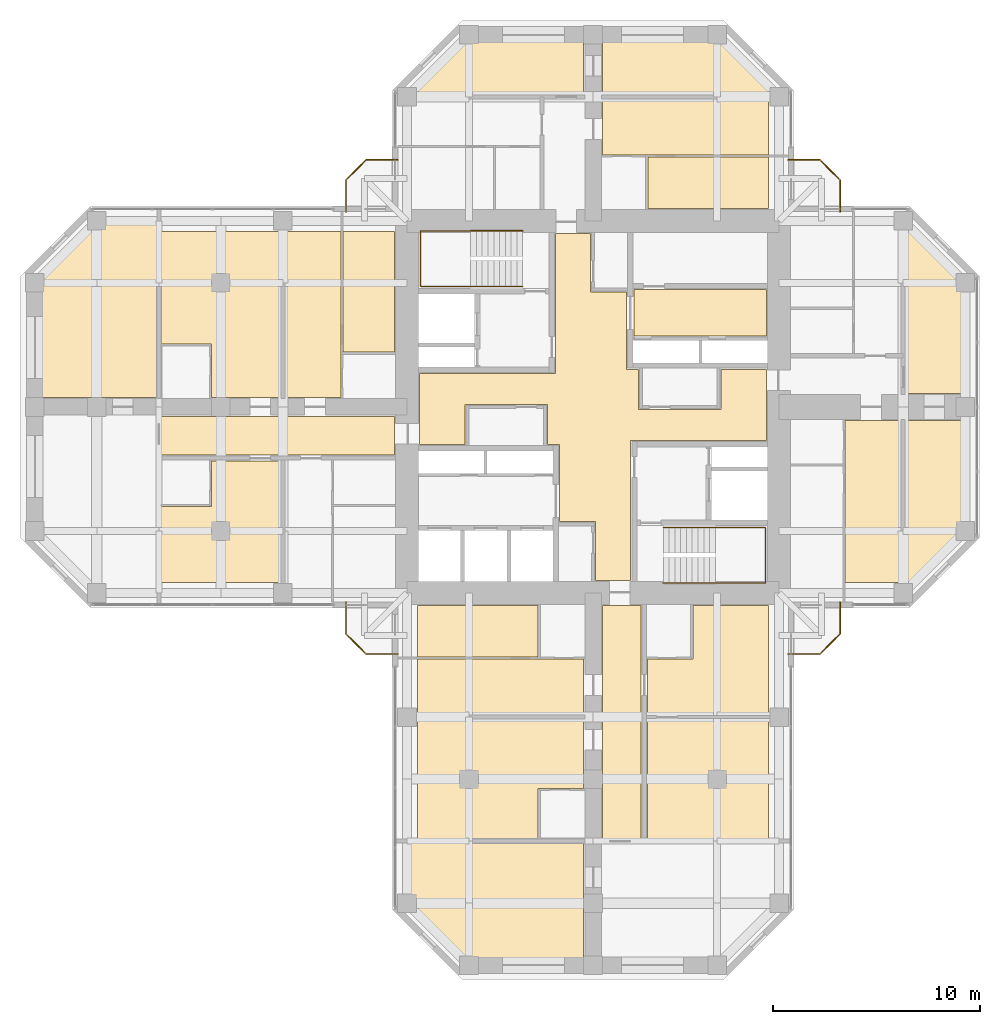
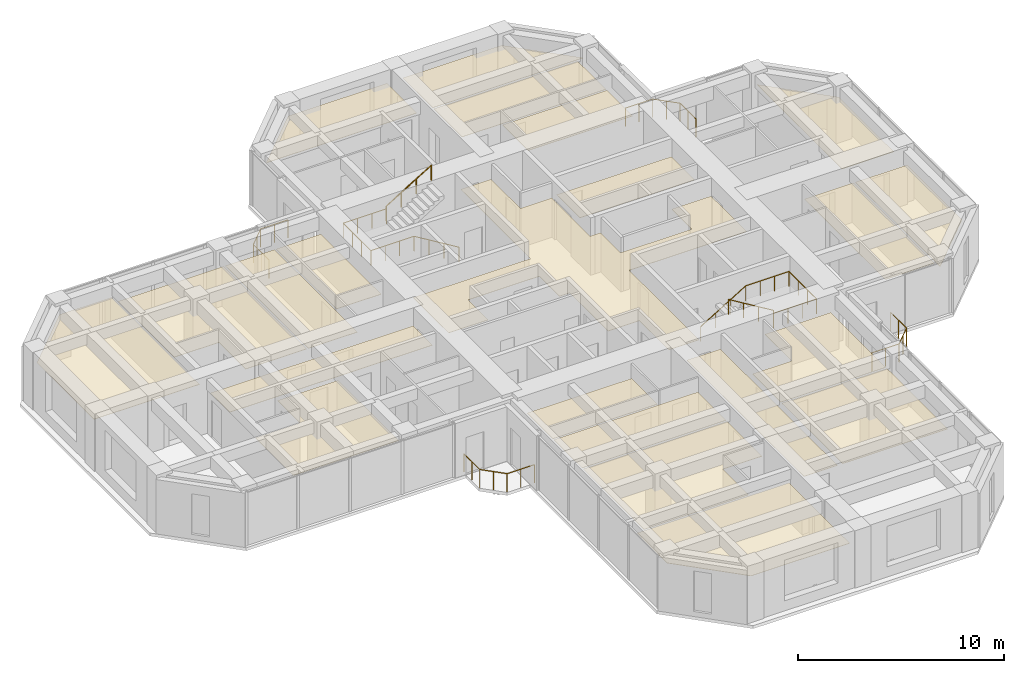
# One storey, part 14 of 14: 22 coverings, 8 railings.
"""IFC4 building model written with IfcOpenShell, lengths in metres."""

from ifc_helpers import new_model, si_unit, direction, frame, origin, origin_2d, place, context, subcontext, project, spatial, polyline, circle, outline, extrude, material, layer, layer_set, constituent, constituent_set, type_object, element, save


model = new_model("IFC4")

# Units and contexts
model_context = context("Model", 3, precision=1e-05, world=origin(), true_north=direction((0.0, 1.0)))
body_context = subcontext(model_context, "Body", "Model", "MODEL_VIEW")
ifc_project = project(units=[si_unit("LENGTHUNIT", "METRE"), si_unit("AREAUNIT", "SQUARE_METRE"), si_unit("VOLUMEUNIT", "CUBIC_METRE"), si_unit("PLANEANGLEUNIT", "RADIAN"), si_unit("MASSUNIT", "GRAM", prefix="KILO")], contexts=[model_context])

# Site, building, storey
site_placement = place(None, origin())
site = spatial("IfcSite", under=ifc_project, at=site_placement, CompositionType="ELEMENT")
building_placement = place(site_placement, origin())
building = spatial("IfcBuilding", under=site, at=building_placement, Name="Torre Cruceta", CompositionType="ELEMENT")
storey_placement = place(building_placement, frame((0.0, 0.0, 186.5)))
storey = spatial("IfcBuildingStorey", under=building, at=storey_placement, Name="L46", CompositionType="ELEMENT", Elevation=186.5)

# Railings
ifc_material_1 = material(Name="Stainless steel 1.4401", Category="steel")
ifc_constituent_1 = constituent(ifc_material_1, Name="Frame")
ifc_material_2 = material(Name="Laminated safety glass", Category="glass")
ifc_constituent_2 = constituent(ifc_material_2, Name="Infill")
ifc_constituent_set = constituent_set(constituents=[ifc_constituent_1, ifc_constituent_2], Name="Stainless steel and laminated glass balustrade")
railing_type_1 = type_object("IfcRailingType", Name="BALCONY BALUSTRADE 1100", PredefinedType="BALUSTRADE", material=ifc_constituent_set)
railing_1_placement = place(storey_placement, frame((-9.449951171875, 11.949951171875, 0.0)))
element("IfcRailing", 1, at=railing_1_placement, inside=storey, type_object=railing_type_1, Name="BL1 balcony balustrade L46 N", PredefinedType="BALUSTRADE", context=body_context, shape_type="SweptSolid", body=[
    extrude(circle(Radius=0.02392578125, at=origin_2d()), frame((0.0, 0.0, 1.076171875), z_axis=(-1.0, 0.0, 0.0), x_axis=(0.0, -1.0, 0.0)), (0.0, 0.0, 1.0), 1.529296875),
    extrude(circle(Radius=0.02392578125, at=origin_2d()), frame((-1.529296875, 0.0, 1.076171875), z_axis=(-0.707106781187, -0.707106781187, 0.0), x_axis=(0.707106781187, -0.707106781187, 0.0)), (0.0, 0.0, 1.0), 1.372802734375),
    extrude(circle(Radius=0.02392578125, at=origin_2d()), frame((-2.5, -0.970703125, 1.076171875), z_axis=(0.0, -1.0, 0.0), x_axis=(1.0, 0.0, 0.0)), (0.0, 0.0, 1.0), 1.529296875),
    extrude(circle(Radius=0.02099609375, at=origin_2d()), origin(), (0.0, 0.0, 1.0), 1.052001953125),
    extrude(circle(Radius=0.02099609375, at=origin_2d()), frame((-0.7646484375, 0.0, 0.0)), (0.0, 0.0, 1.0), 1.052001953125),
    extrude(circle(Radius=0.02099609375, at=origin_2d()), frame((-1.529296875, 0.0, 0.0)), (0.0, 0.0, 1.0), 1.052001953125),
    extrude(circle(Radius=0.02099609375, at=origin_2d()), frame((-2.0146484375, -0.4853515625, 0.0)), (0.0, 0.0, 1.0), 1.052001953125),
    extrude(circle(Radius=0.02099609375, at=origin_2d()), frame((-2.5, -0.970703125, 0.0)), (0.0, 0.0, 1.0), 1.052001953125),
    extrude(circle(Radius=0.02099609375, at=origin_2d()), frame((-2.5, -1.7353515625, 0.0)), (0.0, 0.0, 1.0), 1.052001953125),
    extrude(circle(Radius=0.02099609375, at=origin_2d()), frame((-2.5, -2.5, 0.0)), (0.0, 0.0, 1.0), 1.052001953125),
])
railing_2_placement = place(storey_placement, frame((9.449951171875, 11.949951171875, 0.0)))
element("IfcRailing", 2, at=railing_2_placement, inside=storey, type_object=railing_type_1, Name="BL1 balcony balustrade L46 E", PredefinedType="BALUSTRADE", context=body_context, shape_type="SweptSolid", body=[
    extrude(circle(Radius=0.02392578125, at=origin_2d()), frame((0.0, 0.0, 1.076171875), z_axis=(1.0, 0.0, 0.0), x_axis=(0.0, 1.0, 0.0)), (0.0, 0.0, 1.0), 1.529296875),
    extrude(circle(Radius=0.02392578125, at=origin_2d()), frame((1.529296875, 0.0, 1.076171875), z_axis=(0.707106781187, -0.707106781187, 0.0), x_axis=(0.707106781187, 0.707106781187, 0.0)), (0.0, 0.0, 1.0), 1.372802734375),
    extrude(circle(Radius=0.02392578125, at=origin_2d()), frame((2.5, -0.970703125, 1.076171875), z_axis=(0.0, -1.0, 0.0), x_axis=(1.0, 0.0, 0.0)), (0.0, 0.0, 1.0), 1.529296875),
    extrude(circle(Radius=0.02099609375, at=origin_2d()), origin(), (0.0, 0.0, 1.0), 1.052001953125),
    extrude(circle(Radius=0.02099609375, at=origin_2d()), frame((0.7646484375, 0.0, 0.0)), (0.0, 0.0, 1.0), 1.052001953125),
    extrude(circle(Radius=0.02099609375, at=origin_2d()), frame((1.529296875, 0.0, 0.0)), (0.0, 0.0, 1.0), 1.052001953125),
    extrude(circle(Radius=0.02099609375, at=origin_2d()), frame((2.0146484375, -0.4853515625, 0.0)), (0.0, 0.0, 1.0), 1.052001953125),
    extrude(circle(Radius=0.02099609375, at=origin_2d()), frame((2.5, -0.970703125, 0.0)), (0.0, 0.0, 1.0), 1.052001953125),
    extrude(circle(Radius=0.02099609375, at=origin_2d()), frame((2.5, -1.7353515625, 0.0)), (0.0, 0.0, 1.0), 1.052001953125),
    extrude(circle(Radius=0.02099609375, at=origin_2d()), frame((2.5, -2.5, 0.0)), (0.0, 0.0, 1.0), 1.052001953125),
])
railing_3_placement = place(storey_placement, frame((9.449951171875, -11.949951171875, 0.0)))
element("IfcRailing", 3, at=railing_3_placement, inside=storey, type_object=railing_type_1, Name="BL1 balcony balustrade L46 S", PredefinedType="BALUSTRADE", context=body_context, shape_type="SweptSolid", body=[
    extrude(circle(Radius=0.02392578125, at=origin_2d()), frame((0.0, 0.0, 1.076171875), z_axis=(1.0, 0.0, 0.0), x_axis=(0.0, 1.0, 0.0)), (0.0, 0.0, 1.0), 1.529296875),
    extrude(circle(Radius=0.02392578125, at=origin_2d()), frame((1.529296875, 0.0, 1.076171875), z_axis=(0.707106781187, 0.707106781187, 0.0), x_axis=(-0.707106781187, 0.707106781187, 0.0)), (0.0, 0.0, 1.0), 1.372802734375),
    extrude(circle(Radius=0.02392578125, at=origin_2d()), frame((2.5, 0.970703125, 1.076171875), z_axis=(0.0, 1.0, 0.0), x_axis=(-1.0, 0.0, 0.0)), (0.0, 0.0, 1.0), 1.529296875),
    extrude(circle(Radius=0.02099609375, at=origin_2d()), origin(), (0.0, 0.0, 1.0), 1.052001953125),
    extrude(circle(Radius=0.02099609375, at=origin_2d()), frame((0.7646484375, 0.0, 0.0)), (0.0, 0.0, 1.0), 1.052001953125),
    extrude(circle(Radius=0.02099609375, at=origin_2d()), frame((1.529296875, 0.0, 0.0)), (0.0, 0.0, 1.0), 1.052001953125),
    extrude(circle(Radius=0.02099609375, at=origin_2d()), frame((2.0146484375, 0.4853515625, 0.0)), (0.0, 0.0, 1.0), 1.052001953125),
    extrude(circle(Radius=0.02099609375, at=origin_2d()), frame((2.5, 0.970703125, 0.0)), (0.0, 0.0, 1.0), 1.052001953125),
    extrude(circle(Radius=0.02099609375, at=origin_2d()), frame((2.5, 1.7353515625, 0.0)), (0.0, 0.0, 1.0), 1.052001953125),
    extrude(circle(Radius=0.02099609375, at=origin_2d()), frame((2.5, 2.5, 0.0)), (0.0, 0.0, 1.0), 1.052001953125),
])
railing_4_placement = place(storey_placement, frame((-9.449951171875, -11.949951171875, 0.0)))
element("IfcRailing", 4, at=railing_4_placement, inside=storey, type_object=railing_type_1, Name="BL1 balcony balustrade L46 W", PredefinedType="BALUSTRADE", context=body_context, shape_type="SweptSolid", body=[
    extrude(circle(Radius=0.02392578125, at=origin_2d()), frame((0.0, 0.0, 1.076171875), z_axis=(-1.0, 0.0, 0.0), x_axis=(0.0, -1.0, 0.0)), (0.0, 0.0, 1.0), 1.529296875),
    extrude(circle(Radius=0.02392578125, at=origin_2d()), frame((-1.529296875, 0.0, 1.076171875), z_axis=(-0.707106781187, 0.707106781187, 0.0), x_axis=(-0.707106781187, -0.707106781187, 0.0)), (0.0, 0.0, 1.0), 1.372802734375),
    extrude(circle(Radius=0.02392578125, at=origin_2d()), frame((-2.5, 0.970703125, 1.076171875), z_axis=(0.0, 1.0, 0.0), x_axis=(-1.0, 0.0, 0.0)), (0.0, 0.0, 1.0), 1.529296875),
    extrude(circle(Radius=0.02099609375, at=origin_2d()), origin(), (0.0, 0.0, 1.0), 1.052001953125),
    extrude(circle(Radius=0.02099609375, at=origin_2d()), frame((-0.7646484375, 0.0, 0.0)), (0.0, 0.0, 1.0), 1.052001953125),
    extrude(circle(Radius=0.02099609375, at=origin_2d()), frame((-1.529296875, 0.0, 0.0)), (0.0, 0.0, 1.0), 1.052001953125),
    extrude(circle(Radius=0.02099609375, at=origin_2d()), frame((-2.0146484375, 0.4853515625, 0.0)), (0.0, 0.0, 1.0), 1.052001953125),
    extrude(circle(Radius=0.02099609375, at=origin_2d()), frame((-2.5, 0.970703125, 0.0)), (0.0, 0.0, 1.0), 1.052001953125),
    extrude(circle(Radius=0.02099609375, at=origin_2d()), frame((-2.5, 1.7353515625, 0.0)), (0.0, 0.0, 1.0), 1.052001953125),
    extrude(circle(Radius=0.02099609375, at=origin_2d()), frame((-2.5, 2.5, 0.0)), (0.0, 0.0, 1.0), 1.052001953125),
])
ifc_material_3 = material(Name="Stainless steel 1.4401", Category="steel")
railing_type_2 = type_object("IfcRailingType", Name="HANDRAIL 900", PredefinedType="HANDRAIL", material=ifc_material_3)
railing_5_placement = place(storey_placement, frame((-3.39990234375, 5.8349609375, 0.169921875)))
element("IfcRailing", 5, at=railing_5_placement, inside=storey, type_object=railing_type_2, Name="Handrail HR1 ST1 L46", PredefinedType="HANDRAIL", context=body_context, shape_type="SweptSolid", body=[
    extrude(circle(Radius=0.02392578125, at=origin_2d()), frame((0.0, 0.0, 0.8759765625), z_axis=(-0.85478489116, 0.0, 0.518982456201), x_axis=(0.0, -1.0, 0.0)), (0.0, 0.0, 1.0), 2.9482421875),
    extrude(circle(Radius=0.02392578125, at=origin_2d()), frame((-2.52001953125, 0.0, 2.40576171875), z_axis=(-1.0, 0.0, 0.0), x_axis=(0.0, -1.0, 0.0)), (0.0, 0.0, 1.0), 2.420166015625),
    extrude(circle(Radius=0.02392578125, at=origin_2d()), frame((-4.940185546875, 0.0, 2.40576171875), z_axis=(0.0, 1.0, 0.0), x_axis=(-1.0, 0.0, 0.0)), (0.0, 0.0, 1.0), 2.679931640625),
    extrude(circle(Radius=0.02392578125, at=origin_2d()), frame((-4.940185546875, 2.679931640625, 2.40576171875), z_axis=(1.0, 0.0, 0.0), x_axis=(0.0, 1.0, 0.0)), (0.0, 0.0, 1.0), 2.420166015625),
    extrude(circle(Radius=0.02099609375, at=origin_2d()), origin(), (0.0, 0.0, 1.0), 0.851806640625),
    extrude(circle(Radius=0.02099609375, at=origin_2d()), frame((-0.840087890625, 0.0, 0.510009765625)), (0.0, 0.0, 1.0), 0.851806640625),
    extrude(circle(Radius=0.02099609375, at=origin_2d()), frame((-1.679931640625, 0.0, 1.02001953125)), (0.0, 0.0, 1.0), 0.851806640625),
    extrude(circle(Radius=0.02099609375, at=origin_2d()), frame((-2.52001953125, 0.0, 1.530029296875)), (0.0, 0.0, 1.0), 0.851806640625),
    extrude(circle(Radius=0.02099609375, at=origin_2d()), frame((-3.32666015625, 0.0, 1.530029296875)), (0.0, 0.0, 1.0), 0.851806640625),
    extrude(circle(Radius=0.02099609375, at=origin_2d()), frame((-4.133544921875, 0.0, 1.530029296875)), (0.0, 0.0, 1.0), 0.851806640625),
    extrude(circle(Radius=0.02099609375, at=origin_2d()), frame((-4.940185546875, 0.0, 1.530029296875)), (0.0, 0.0, 1.0), 0.851806640625),
    extrude(circle(Radius=0.02099609375, at=origin_2d()), frame((-4.940185546875, 0.893310546875, 1.530029296875)), (0.0, 0.0, 1.0), 0.851806640625),
    extrude(circle(Radius=0.02099609375, at=origin_2d()), frame((-4.940185546875, 1.78662109375, 1.530029296875)), (0.0, 0.0, 1.0), 0.851806640625),
    extrude(circle(Radius=0.02099609375, at=origin_2d()), frame((-4.940185546875, 2.679931640625, 1.530029296875)), (0.0, 0.0, 1.0), 0.851806640625),
    extrude(circle(Radius=0.02099609375, at=origin_2d()), frame((-4.133544921875, 2.679931640625, 1.530029296875)), (0.0, 0.0, 1.0), 0.851806640625),
    extrude(circle(Radius=0.02099609375, at=origin_2d()), frame((-3.32666015625, 2.679931640625, 1.530029296875)), (0.0, 0.0, 1.0), 0.851806640625),
    extrude(circle(Radius=0.02099609375, at=origin_2d()), frame((-2.52001953125, 2.679931640625, 1.530029296875)), (0.0, 0.0, 1.0), 0.851806640625),
])
railing_6_placement = place(storey_placement, frame((-5.919921875, 8.514892578125, 1.8701171875)))
element("IfcRailing", 6, at=railing_6_placement, inside=storey, type_object=railing_type_2, Name="Handrail HR1 ST1 L46", PredefinedType="HANDRAIL", context=body_context, shape_type="SweptSolid", body=[
    extrude(circle(Radius=0.02392578125, at=origin_2d()), frame((0.0, 0.0, 0.8759765625), z_axis=(0.854821627497, 0.0, 0.518921945155), x_axis=(0.0, 1.0, 0.0)), (0.0, 0.0, 1.0), 2.947998046875),
    extrude(circle(Radius=0.02099609375, at=origin_2d()), origin(), (0.0, 0.0, 1.0), 0.851806640625),
    extrude(circle(Radius=0.02099609375, at=origin_2d()), frame((0.840087890625, 0.0, 0.510009765625)), (0.0, 0.0, 1.0), 0.851806640625),
    extrude(circle(Radius=0.02099609375, at=origin_2d()), frame((1.679931640625, 0.0, 1.019775390625)), (0.0, 0.0, 1.0), 0.851806640625),
    extrude(circle(Radius=0.02099609375, at=origin_2d()), frame((2.52001953125, 0.0, 1.52978515625)), (0.0, 0.0, 1.0), 0.851806640625),
])
railing_7_placement = place(storey_placement, frame((3.39990234375, -5.8349609375, 0.169921875)))
element("IfcRailing", 7, at=railing_7_placement, inside=storey, type_object=railing_type_2, Name="Handrail HR1 ST2 L46", PredefinedType="HANDRAIL", context=body_context, shape_type="SweptSolid", body=[
    extrude(circle(Radius=0.02392578125, at=origin_2d()), frame((0.0, 0.0, 0.8759765625), z_axis=(0.85478489116, 0.0, 0.518982456201), x_axis=(0.0, 1.0, 0.0)), (0.0, 0.0, 1.0), 2.9482421875),
    extrude(circle(Radius=0.02392578125, at=origin_2d()), frame((2.52001953125, 0.0, 2.40576171875), z_axis=(1.0, 0.0, 0.0), x_axis=(0.0, 1.0, 0.0)), (0.0, 0.0, 1.0), 2.420166015625),
    extrude(circle(Radius=0.02392578125, at=origin_2d()), frame((4.940185546875, 0.0, 2.40576171875), z_axis=(0.0, -1.0, 0.0), x_axis=(1.0, 0.0, 0.0)), (0.0, 0.0, 1.0), 2.679931640625),
    extrude(circle(Radius=0.02392578125, at=origin_2d()), frame((4.940185546875, -2.679931640625, 2.40576171875), z_axis=(-1.0, 0.0, 0.0), x_axis=(0.0, -1.0, 0.0)), (0.0, 0.0, 1.0), 2.420166015625),
    extrude(circle(Radius=0.02099609375, at=origin_2d()), origin(), (0.0, 0.0, 1.0), 0.851806640625),
    extrude(circle(Radius=0.02099609375, at=origin_2d()), frame((0.840087890625, 0.0, 0.510009765625)), (0.0, 0.0, 1.0), 0.851806640625),
    extrude(circle(Radius=0.02099609375, at=origin_2d()), frame((1.679931640625, 0.0, 1.02001953125)), (0.0, 0.0, 1.0), 0.851806640625),
    extrude(circle(Radius=0.02099609375, at=origin_2d()), frame((2.52001953125, 0.0, 1.530029296875)), (0.0, 0.0, 1.0), 0.851806640625),
    extrude(circle(Radius=0.02099609375, at=origin_2d()), frame((3.32666015625, 0.0, 1.530029296875)), (0.0, 0.0, 1.0), 0.851806640625),
    extrude(circle(Radius=0.02099609375, at=origin_2d()), frame((4.133544921875, 0.0, 1.530029296875)), (0.0, 0.0, 1.0), 0.851806640625),
    extrude(circle(Radius=0.02099609375, at=origin_2d()), frame((4.940185546875, 0.0, 1.530029296875)), (0.0, 0.0, 1.0), 0.851806640625),
    extrude(circle(Radius=0.02099609375, at=origin_2d()), frame((4.940185546875, -0.893310546875, 1.530029296875)), (0.0, 0.0, 1.0), 0.851806640625),
    extrude(circle(Radius=0.02099609375, at=origin_2d()), frame((4.940185546875, -1.78662109375, 1.530029296875)), (0.0, 0.0, 1.0), 0.851806640625),
    extrude(circle(Radius=0.02099609375, at=origin_2d()), frame((4.940185546875, -2.679931640625, 1.530029296875)), (0.0, 0.0, 1.0), 0.851806640625),
    extrude(circle(Radius=0.02099609375, at=origin_2d()), frame((4.133544921875, -2.679931640625, 1.530029296875)), (0.0, 0.0, 1.0), 0.851806640625),
    extrude(circle(Radius=0.02099609375, at=origin_2d()), frame((3.32666015625, -2.679931640625, 1.530029296875)), (0.0, 0.0, 1.0), 0.851806640625),
    extrude(circle(Radius=0.02099609375, at=origin_2d()), frame((2.52001953125, -2.679931640625, 1.530029296875)), (0.0, 0.0, 1.0), 0.851806640625),
])
railing_8_placement = place(storey_placement, frame((5.919921875, -8.514892578125, 1.8701171875)))
element("IfcRailing", 8, at=railing_8_placement, inside=storey, type_object=railing_type_2, Name="Handrail HR1 ST2 L46", PredefinedType="HANDRAIL", context=body_context, shape_type="SweptSolid", body=[
    extrude(circle(Radius=0.02392578125, at=origin_2d()), frame((0.0, 0.0, 0.8759765625), z_axis=(-0.854821627497, 0.0, 0.518921945155), x_axis=(0.0, -1.0, 0.0)), (0.0, 0.0, 1.0), 2.947998046875),
    extrude(circle(Radius=0.02099609375, at=origin_2d()), origin(), (0.0, 0.0, 1.0), 0.851806640625),
    extrude(circle(Radius=0.02099609375, at=origin_2d()), frame((-0.840087890625, 0.0, 0.510009765625)), (0.0, 0.0, 1.0), 0.851806640625),
    extrude(circle(Radius=0.02099609375, at=origin_2d()), frame((-1.679931640625, 0.0, 1.019775390625)), (0.0, 0.0, 1.0), 0.851806640625),
    extrude(circle(Radius=0.02099609375, at=origin_2d()), frame((-2.52001953125, 0.0, 1.52978515625)), (0.0, 0.0, 1.0), 0.851806640625),
])

# Coverings
ifc_material_4 = material(Name="Mineral fibre ceiling tile", Category="gypsum")
ifc_layer = layer(ifc_material_4, 0.02001953125)
ifc_layer_set = layer_set([ifc_layer], Name="Mineral fibre ceiling tile")
covering_type = type_object("IfcCoveringType", Name="SUSPENDED CEILING 20", PredefinedType="CEILING", material=ifc_layer_set)
covering_1_placement = place(storey_placement, frame((0.0, 0.0, 2.35009765625)))
element("IfcCovering", 9, at=covering_1_placement, inside=storey, type_object=covering_type, Name="Ceiling L46-002", PredefinedType="CEILING", context=body_context, shape_type="SweptSolid", body=[
    extrude(outline(polyline([(1.824951171875, -8.39990234375), (0.125, -8.39990234375), (0.125, -5.550048828125), (-1.625, -5.550048828125), (-1.625, -1.824951171875), (-2.199951171875, -1.824951171875), (-2.199951171875, 0.125), (-6.199951171875, 0.125), (-6.199951171875, -1.824951171875), (-8.39990234375, -1.824951171875), (-8.39990234375, 1.625), (-1.824951171875, 1.625), (-1.824951171875, 8.39990234375), (-0.125, 8.39990234375), (-0.125, 5.550048828125), (1.625, 5.550048828125), (1.625, 1.824951171875), (2.199951171875, 1.824951171875), (2.199951171875, -0.125), (6.199951171875, -0.125), (6.199951171875, 1.824951171875), (8.39990234375, 1.824951171875), (8.39990234375, -1.625), (1.824951171875, -1.625), (1.824951171875, -8.39990234375)])), origin(), (0.0, 0.0, 1.0), 0.02001953125),
])
covering_2_placement = place(storey_placement, frame((0.0, 0.0, 2.35009765625)))
element("IfcCovering", 10, at=covering_2_placement, inside=storey, type_object=covering_type, Name="Ceiling L46-007", PredefinedType="CEILING", context=body_context, shape_type="SweptSolid", body=[
    extrude(outline(polyline([(1.97509765625, 3.425048828125), (1.97509765625, 5.675048828125), (8.39990234375, 5.675048828125), (8.39990234375, 3.425048828125), (1.97509765625, 3.425048828125)])), origin(), (0.0, 0.0, 1.0), 0.02001953125),
])
covering_3_placement = place(storey_placement, frame((0.0, 0.0, 2.35009765625)))
element("IfcCovering", 11, at=covering_3_placement, inside=storey, type_object=covering_type, Name="Ceiling L46-028", PredefinedType="CEILING", context=body_context, shape_type="SweptSolid", body=[
    extrude(outline(polyline([(8.5, 14.949951171875), (8.5, 12.199951171875), (0.449951171875, 12.199951171875), (0.449951171875, 14.949951171875), (8.5, 14.949951171875)])), origin(), (0.0, 0.0, 1.0), 0.02001953125),
])
covering_4_placement = place(storey_placement, frame((0.0, 0.0, 2.35009765625)))
element("IfcCovering", 12, at=covering_4_placement, inside=storey, type_object=covering_type, Name="Ceiling L46-029", PredefinedType="CEILING", context=body_context, shape_type="SweptSolid", body=[
    extrude(outline(polyline([(8.5, 9.60009765625), (2.64990234375, 9.60009765625), (2.64990234375, 12.10009765625), (8.5, 12.10009765625), (8.5, 9.60009765625)])), origin(), (0.0, 0.0, 1.0), 0.02001953125),
])
covering_5_placement = place(storey_placement, frame((0.0, 0.0, 2.35009765625)))
element("IfcCovering", 13, at=covering_5_placement, inside=storey, type_object=covering_type, Name="Ceiling L46-031", PredefinedType="CEILING", context=body_context, shape_type="SweptSolid", body=[
    extrude(outline(polyline([(-5.979248046875, 17.949951171875), (-0.449951171875, 17.949951171875), (-0.449951171875, 15.050048828125), (-8.87939453125, 15.050048828125), (-5.979248046875, 17.949951171875)])), origin(), (0.0, 0.0, 1.0), 0.02001953125),
])
covering_6_placement = place(storey_placement, frame((0.0, 0.0, 2.35009765625)))
element("IfcCovering", 14, at=covering_6_placement, inside=storey, type_object=covering_type, Name="Ceiling L46-032", PredefinedType="CEILING", context=body_context, shape_type="SweptSolid", body=[
    extrude(outline(polyline([(8.87939453125, 15.050048828125), (0.449951171875, 15.050048828125), (0.449951171875, 17.949951171875), (5.979248046875, 17.949951171875), (8.87939453125, 15.050048828125)])), origin(), (0.0, 0.0, 1.0), 0.02001953125),
])
covering_7_placement = place(storey_placement, frame((0.0, 0.0, 2.35009765625)))
element("IfcCovering", 15, at=covering_7_placement, inside=storey, type_object=covering_type, Name="Ceiling L46-037", PredefinedType="CEILING", context=body_context, shape_type="SweptSolid", body=[
    extrude(outline(polyline([(14.949951171875, -8.5), (12.199951171875, -8.5), (12.199951171875, -0.64990234375), (14.949951171875, -0.64990234375), (14.949951171875, -8.5)])), origin(), (0.0, 0.0, 1.0), 0.02001953125),
])
covering_8_placement = place(storey_placement, frame((0.0, 0.0, 2.35009765625)))
element("IfcCovering", 16, at=covering_8_placement, inside=storey, type_object=covering_type, Name="Ceiling L46-040", PredefinedType="CEILING", context=body_context, shape_type="SweptSolid", body=[
    extrude(outline(polyline([(17.949951171875, 5.979248046875), (17.949951171875, 0.64990234375), (15.050048828125, 0.64990234375), (15.050048828125, 8.87939453125), (17.949951171875, 5.979248046875)])), origin(), (0.0, 0.0, 1.0), 0.02001953125),
])
covering_9_placement = place(storey_placement, frame((0.0, 0.0, 2.35009765625)))
element("IfcCovering", 17, at=covering_9_placement, inside=storey, type_object=covering_type, Name="Ceiling L46-041", PredefinedType="CEILING", context=body_context, shape_type="SweptSolid", body=[
    extrude(outline(polyline([(15.050048828125, -8.87939453125), (15.050048828125, -0.64990234375), (17.949951171875, -0.64990234375), (17.949951171875, -5.979248046875), (15.050048828125, -8.87939453125)])), origin(), (0.0, 0.0, 1.0), 0.02001953125),
])
covering_10_placement = place(storey_placement, frame((0.0, 0.0, 2.35009765625)))
element("IfcCovering", 18, at=covering_10_placement, inside=storey, type_object=covering_type, Name="Ceiling L46-042", PredefinedType="CEILING", context=body_context, shape_type="SweptSolid", body=[
    extrude(outline(polyline([(0.449951171875, -9.60009765625), (2.324951171875, -9.60009765625), (2.324951171875, -20.949951171875), (0.449951171875, -20.949951171875), (0.449951171875, -9.60009765625)])), origin(), (0.0, 0.0, 1.0), 0.02001953125),
])
covering_11_placement = place(storey_placement, frame((0.0, 0.0, 2.35009765625)))
element("IfcCovering", 19, at=covering_11_placement, inside=storey, type_object=covering_type, Name="Ceiling L46-043", PredefinedType="CEILING", context=body_context, shape_type="SweptSolid", body=[
    extrude(outline(polyline([(8.5, -9.60009765625), (8.5, -14.949951171875), (2.625, -14.949951171875), (2.625, -12.199951171875), (4.824951171875, -12.199951171875), (4.824951171875, -9.60009765625), (8.5, -9.60009765625)])), origin(), (0.0, 0.0, 1.0), 0.02001953125),
])
covering_12_placement = place(storey_placement, frame((0.0, 0.0, 2.35009765625)))
element("IfcCovering", 20, at=covering_12_placement, inside=storey, type_object=covering_type, Name="Ceiling L46-045", PredefinedType="CEILING", context=body_context, shape_type="SweptSolid", body=[
    extrude(outline(polyline([(2.625, -15.050048828125), (8.5, -15.050048828125), (8.5, -20.949951171875), (2.625, -20.949951171875), (2.625, -15.050048828125)])), origin(), (0.0, 0.0, 1.0), 0.02001953125),
])
covering_13_placement = place(storey_placement, frame((0.0, 0.0, 2.35009765625)))
element("IfcCovering", 21, at=covering_13_placement, inside=storey, type_object=covering_type, Name="Ceiling L46-046", PredefinedType="CEILING", context=body_context, shape_type="SweptSolid", body=[
    extrude(outline(polyline([(-8.5, -14.949951171875), (-8.5, -12.199951171875), (-0.449951171875, -12.199951171875), (-0.449951171875, -14.949951171875), (-8.5, -14.949951171875)])), origin(), (0.0, 0.0, 1.0), 0.02001953125),
])
covering_14_placement = place(storey_placement, frame((0.0, 0.0, 2.35009765625)))
element("IfcCovering", 22, at=covering_14_placement, inside=storey, type_object=covering_type, Name="Ceiling L46-047", PredefinedType="CEILING", context=body_context, shape_type="SweptSolid", body=[
    extrude(outline(polyline([(-8.5, -9.60009765625), (-2.64990234375, -9.60009765625), (-2.64990234375, -12.10009765625), (-8.5, -12.10009765625), (-8.5, -9.60009765625)])), origin(), (0.0, 0.0, 1.0), 0.02001953125),
])
covering_15_placement = place(storey_placement, frame((0.0, 0.0, 2.35009765625)))
element("IfcCovering", 23, at=covering_15_placement, inside=storey, type_object=covering_type, Name="Ceiling L46-049", PredefinedType="CEILING", context=body_context, shape_type="SweptSolid", body=[
    extrude(outline(polyline([(-8.5, -20.949951171875), (-8.5, -15.050048828125), (-0.449951171875, -15.050048828125), (-0.449951171875, -18.449951171875), (-2.64990234375, -18.449951171875), (-2.64990234375, -20.949951171875), (-8.5, -20.949951171875)])), origin(), (0.0, 0.0, 1.0), 0.02001953125),
])
covering_16_placement = place(storey_placement, frame((0.0, 0.0, 2.35009765625)))
element("IfcCovering", 24, at=covering_16_placement, inside=storey, type_object=covering_type, Name="Ceiling L46-052", PredefinedType="CEILING", context=body_context, shape_type="SweptSolid", body=[
    extrude(outline(polyline([(-8.949951171875, -23.979248046875), (-8.949951171875, -21.050048828125), (-0.449951171875, -21.050048828125), (-0.449951171875, -26.949951171875), (-5.979248046875, -26.949951171875), (-8.949951171875, -23.979248046875)])), origin(), (0.0, 0.0, 1.0), 0.02001953125),
])
covering_17_placement = place(storey_placement, frame((0.0, 0.0, 2.35009765625)))
element("IfcCovering", 25, at=covering_17_placement, inside=storey, type_object=covering_type, Name="Ceiling L46-053", PredefinedType="CEILING", context=body_context, shape_type="SweptSolid", body=[
    extrude(outline(polyline([(-9.60009765625, -0.449951171875), (-9.60009765625, -2.324951171875), (-20.949951171875, -2.324951171875), (-20.949951171875, -0.449951171875), (-9.60009765625, -0.449951171875)])), origin(), (0.0, 0.0, 1.0), 0.02001953125),
])
covering_18_placement = place(storey_placement, frame((0.0, 0.0, 2.35009765625)))
element("IfcCovering", 26, at=covering_18_placement, inside=storey, type_object=covering_type, Name="Ceiling L46-057", PredefinedType="CEILING", context=body_context, shape_type="SweptSolid", body=[
    extrude(outline(polyline([(-14.949951171875, 8.5), (-12.199951171875, 8.5), (-12.199951171875, 0.449951171875), (-14.949951171875, 0.449951171875), (-14.949951171875, 8.5)])), origin(), (0.0, 0.0, 1.0), 0.02001953125),
])
covering_19_placement = place(storey_placement, frame((0.0, 0.0, 2.35009765625)))
element("IfcCovering", 27, at=covering_19_placement, inside=storey, type_object=covering_type, Name="Ceiling L46-058", PredefinedType="CEILING", context=body_context, shape_type="SweptSolid", body=[
    extrude(outline(polyline([(-9.60009765625, 8.5), (-9.60009765625, 2.64990234375), (-12.10009765625, 2.64990234375), (-12.10009765625, 8.5), (-9.60009765625, 8.5)])), origin(), (0.0, 0.0, 1.0), 0.02001953125),
])
covering_20_placement = place(storey_placement, frame((0.0, 0.0, 2.35009765625)))
element("IfcCovering", 28, at=covering_20_placement, inside=storey, type_object=covering_type, Name="Ceiling L46-060", PredefinedType="CEILING", context=body_context, shape_type="SweptSolid", body=[
    extrude(outline(polyline([(-15.050048828125, -2.625), (-15.050048828125, -8.5), (-20.949951171875, -8.5), (-20.949951171875, -4.824951171875), (-18.449951171875, -4.824951171875), (-18.449951171875, -2.625), (-15.050048828125, -2.625)])), origin(), (0.0, 0.0, 1.0), 0.02001953125),
])
covering_21_placement = place(storey_placement, frame((0.0, 0.0, 2.35009765625)))
element("IfcCovering", 29, at=covering_21_placement, inside=storey, type_object=covering_type, Name="Ceiling L46-062", PredefinedType="CEILING", context=body_context, shape_type="SweptSolid", body=[
    extrude(outline(polyline([(-20.949951171875, 8.5), (-15.050048828125, 8.5), (-15.050048828125, 0.449951171875), (-18.449951171875, 0.449951171875), (-18.449951171875, 3.050048828125), (-20.949951171875, 3.050048828125), (-20.949951171875, 8.5)])), origin(), (0.0, 0.0, 1.0), 0.02001953125),
])
covering_22_placement = place(storey_placement, frame((0.0, 0.0, 2.35009765625)))
element("IfcCovering", 30, at=covering_22_placement, inside=storey, type_object=covering_type, Name="Ceiling L46-065", PredefinedType="CEILING", context=body_context, shape_type="SweptSolid", body=[
    extrude(outline(polyline([(-23.979248046875, 8.949951171875), (-21.050048828125, 8.949951171875), (-21.050048828125, 0.449951171875), (-26.949951171875, 0.449951171875), (-26.949951171875, 5.979248046875), (-23.979248046875, 8.949951171875)])), origin(), (0.0, 0.0, 1.0), 0.02001953125),
])

save(model, "model.ifc")
